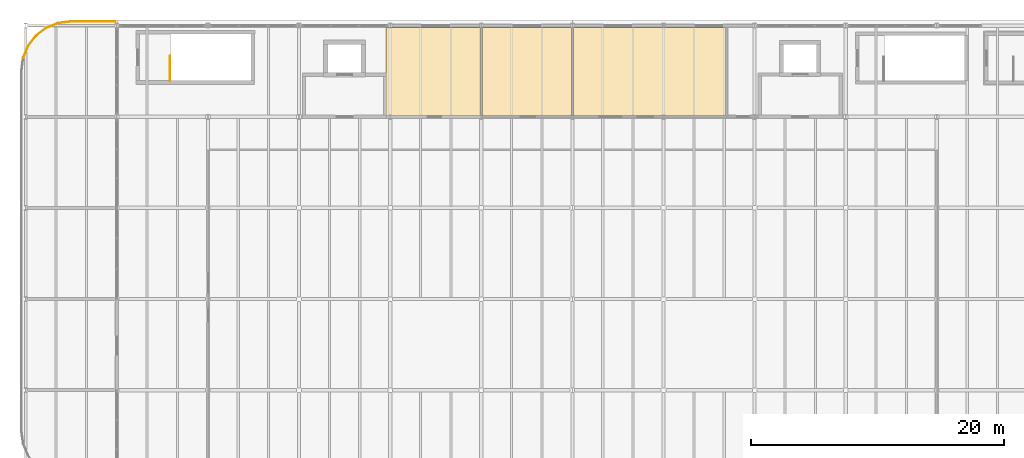
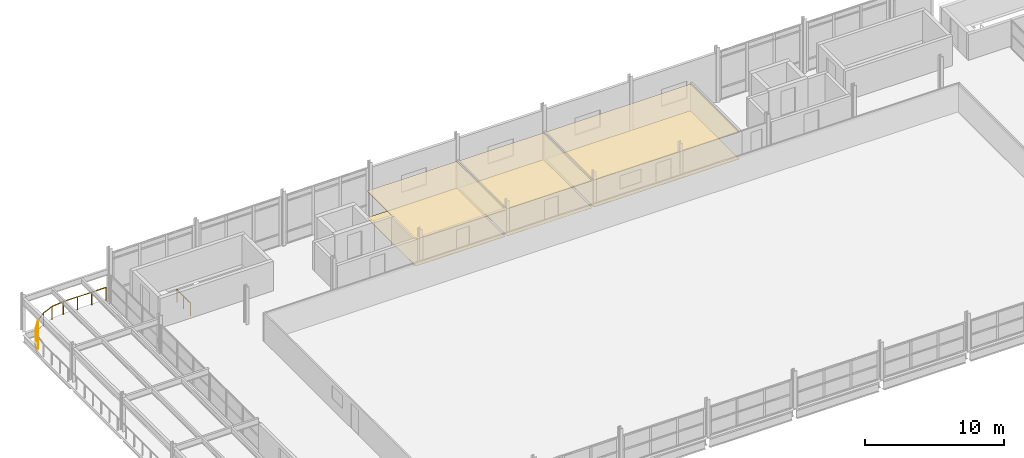
# One storey, part 24 of 25: 7 railings, 6 coverings.
"""IFC4 building model written with IfcOpenShell, lengths in metres."""

from ifc_helpers import new_model, si_unit, direction, frame, origin, origin_2d, place, context, subcontext, project, spatial, polyline, circle, outline, extrude, material, layer, layer_set, type_object, element, save


model = new_model("IFC4")

# Units and contexts
model_context = context("Model", 3, precision=1e-05, world=origin(), true_north=direction((0.0, 1.0)))
body_context = subcontext(model_context, "Body", "Model", "MODEL_VIEW")
ifc_project = project(units=[si_unit("LENGTHUNIT", "METRE"), si_unit("AREAUNIT", "SQUARE_METRE"), si_unit("VOLUMEUNIT", "CUBIC_METRE"), si_unit("PLANEANGLEUNIT", "RADIAN"), si_unit("MASSUNIT", "GRAM", prefix="KILO")], contexts=[model_context])

# Site, building, storey
site_placement = place(None, origin())
site = spatial("IfcSite", under=ifc_project, at=site_placement, CompositionType="ELEMENT")
building_placement = place(site_placement, origin())
building = spatial("IfcBuilding", under=site, at=building_placement, Name="Vaelcorin Mobility Hub", CompositionType="ELEMENT")
storey_placement = place(building_placement, frame((0.0, 0.0, 21.0)))
storey = spatial("IfcBuildingStorey", under=building, at=storey_placement, Name="L05", CompositionType="ELEMENT", Elevation=21.0)

# Coverings
ifc_material_1 = material(Name="Perforated acoustic mineral-fibre ceiling tile")
ifc_layer_1 = layer(ifc_material_1, 0.02001953125)
ifc_layer_set_1 = layer_set([ifc_layer_1], Name="Perforated acoustic mineral-fibre ceiling tile")
covering_type_1 = type_object("IfcCoveringType", Name="COV-CEIL-1", PredefinedType="CEILING", material=ifc_layer_set_1)
covering_1_placement = place(storey_placement, frame((0.0, 0.0, 2.35009765625)))
element("IfcCovering", 1, at=covering_1_placement, inside=storey, type_object=covering_type_1, Name="Rooftop Court Refreshment Kiosk Acoustic Ceiling", PredefinedType="CEILING", context=body_context, shape_type="SweptSolid", body=[
    extrude(outline(polyline([(72.139892578125, 112.8798828125), (72.134033203125, 112.8798828125), (72.1279296875, 112.881103515625), (72.123046875, 112.883056640625), (72.116943359375, 112.885009765625), (72.112060546875, 112.886962890625), (72.10693359375, 112.889892578125), (72.10205078125, 112.89404296875), (72.097900390625, 112.89794921875), (72.093994140625, 112.902099609375), (72.090087890625, 112.906982421875), (72.0869140625, 112.912109375), (72.0849609375, 112.9169921875), (72.0830078125, 112.923095703125), (72.0810546875, 112.927978515625), (72.080078125, 112.93408203125), (72.080078125, 112.93994140625), (72.080078125, 119.800048828125), (72.080078125, 119.805908203125), (72.0810546875, 119.81201171875), (72.0830078125, 119.81689453125), (72.0849609375, 119.822998046875), (72.0869140625, 119.827880859375), (72.090087890625, 119.8330078125), (72.093994140625, 119.837890625), (72.097900390625, 119.842041015625), (72.10205078125, 119.845947265625), (72.10693359375, 119.85009765625), (72.112060546875, 119.85302734375), (72.116943359375, 119.85498046875), (72.123046875, 119.85693359375), (72.1279296875, 119.85888671875), (72.134033203125, 119.860107421875), (72.139892578125, 119.860107421875), (79.06005859375, 119.860107421875), (79.06591796875, 119.860107421875), (79.072021484375, 119.85888671875), (79.076904296875, 119.85693359375), (79.0830078125, 119.85498046875), (79.087890625, 119.85302734375), (79.093017578125, 119.85009765625), (79.097900390625, 119.845947265625), (79.10205078125, 119.842041015625), (79.10595703125, 119.837890625), (79.110107421875, 119.8330078125), (79.113037109375, 119.827880859375), (79.114990234375, 119.822998046875), (79.116943359375, 119.81689453125), (79.118896484375, 119.81201171875), (79.1201171875, 119.805908203125), (79.1201171875, 119.800048828125), (79.1201171875, 112.93994140625), (79.1201171875, 112.93408203125), (79.118896484375, 112.927978515625), (79.116943359375, 112.923095703125), (79.114990234375, 112.9169921875), (79.113037109375, 112.912109375), (79.110107421875, 112.906982421875), (79.10595703125, 112.902099609375), (79.10205078125, 112.89794921875), (79.097900390625, 112.89404296875), (79.093017578125, 112.889892578125), (79.087890625, 112.886962890625), (79.0830078125, 112.885009765625), (79.076904296875, 112.883056640625), (79.072021484375, 112.881103515625), (79.06591796875, 112.8798828125), (79.06005859375, 112.8798828125), (72.139892578125, 112.8798828125)])), origin(), (0.0, 0.0, 1.0), 0.02001953125),
])
ifc_layer_2 = layer(ifc_material_1, 0.02392578125)
ifc_layer_set_2 = layer_set([ifc_layer_2], Name="Perforated acoustic mineral-fibre ceiling tile")
covering_type_2 = type_object("IfcCoveringType", Name="COV-CEIL-2", PredefinedType="CEILING", material=ifc_layer_set_2)
covering_2_placement = place(storey_placement, frame((0.0, 0.0, 2.35009765625)))
element("IfcCovering", 2, at=covering_2_placement, inside=storey, type_object=covering_type_2, Name="Sports Equipment Store Acoustic Ceiling", PredefinedType="CEILING", context=body_context, shape_type="SweptSolid", body=[
    extrude(outline(polyline([(79.340087890625, 112.8798828125), (79.333984375, 112.8798828125), (79.327880859375, 112.881103515625), (79.322998046875, 112.883056640625), (79.31689453125, 112.885009765625), (79.31201171875, 112.886962890625), (79.306884765625, 112.889892578125), (79.302001953125, 112.89404296875), (79.298095703125, 112.89794921875), (79.2939453125, 112.902099609375), (79.2900390625, 112.906982421875), (79.287109375, 112.912109375), (79.284912109375, 112.9169921875), (79.282958984375, 112.923095703125), (79.281005859375, 112.927978515625), (79.280029296875, 112.93408203125), (79.280029296875, 112.93994140625), (79.280029296875, 119.800048828125), (79.280029296875, 119.805908203125), (79.281005859375, 119.81201171875), (79.282958984375, 119.81689453125), (79.284912109375, 119.822998046875), (79.287109375, 119.827880859375), (79.2900390625, 119.8330078125), (79.2939453125, 119.837890625), (79.298095703125, 119.842041015625), (79.302001953125, 119.845947265625), (79.306884765625, 119.85009765625), (79.31201171875, 119.85302734375), (79.31689453125, 119.85498046875), (79.322998046875, 119.85693359375), (79.327880859375, 119.85888671875), (79.333984375, 119.860107421875), (79.340087890625, 119.860107421875), (91.260009765625, 119.860107421875), (91.26611328125, 119.860107421875), (91.27197265625, 119.85888671875), (91.277099609375, 119.85693359375), (91.282958984375, 119.85498046875), (91.2880859375, 119.85302734375), (91.29296875, 119.85009765625), (91.298095703125, 119.845947265625), (91.302001953125, 119.842041015625), (91.305908203125, 119.837890625), (91.31005859375, 119.8330078125), (91.31298828125, 119.827880859375), (91.31494140625, 119.822998046875), (91.31689453125, 119.81689453125), (91.319091796875, 119.81201171875), (91.320068359375, 119.805908203125), (91.320068359375, 119.800048828125), (91.320068359375, 112.93994140625), (91.320068359375, 112.93408203125), (91.319091796875, 112.927978515625), (91.31689453125, 112.923095703125), (91.31494140625, 112.9169921875), (91.31298828125, 112.912109375), (91.31005859375, 112.906982421875), (91.305908203125, 112.902099609375), (91.302001953125, 112.89794921875), (91.298095703125, 112.89404296875), (91.29296875, 112.889892578125), (91.2880859375, 112.886962890625), (91.282958984375, 112.885009765625), (91.277099609375, 112.883056640625), (91.27197265625, 112.881103515625), (91.26611328125, 112.8798828125), (91.260009765625, 112.8798828125), (79.340087890625, 112.8798828125)])), origin(), (0.0, 0.0, 1.0), 0.02392578125),
])
ifc_layer_3 = layer(ifc_material_1, 0.0380859375)
ifc_layer_set_3 = layer_set([ifc_layer_3], Name="Perforated acoustic mineral-fibre ceiling tile")
covering_type_3 = type_object("IfcCoveringType", Name="COV-CEIL-4", PredefinedType="CEILING", material=ifc_layer_set_3)
covering_3_placement = place(storey_placement, frame((0.0, 0.0, 2.35009765625)))
element("IfcCovering", 3, at=covering_3_placement, inside=storey, type_object=covering_type_3, Name="West Sports Changing and Showers Acoustic Ceiling", PredefinedType="CEILING", context=body_context, shape_type="SweptSolid", body=[
    extrude(outline(polyline([(64.5400390625, 112.8798828125), (64.533935546875, 112.8798828125), (64.528076171875, 112.881103515625), (64.52294921875, 112.883056640625), (64.51708984375, 112.885009765625), (64.511962890625, 112.886962890625), (64.507080078125, 112.889892578125), (64.501953125, 112.89404296875), (64.498046875, 112.89794921875), (64.493896484375, 112.902099609375), (64.489990234375, 112.906982421875), (64.487060546875, 112.912109375), (64.485107421875, 112.9169921875), (64.48291015625, 112.923095703125), (64.48095703125, 112.927978515625), (64.47998046875, 112.93408203125), (64.47998046875, 112.93994140625), (64.47998046875, 119.800048828125), (64.47998046875, 119.805908203125), (64.48095703125, 119.81201171875), (64.48291015625, 119.81689453125), (64.485107421875, 119.822998046875), (64.487060546875, 119.827880859375), (64.489990234375, 119.8330078125), (64.493896484375, 119.837890625), (64.498046875, 119.842041015625), (64.501953125, 119.845947265625), (64.507080078125, 119.85009765625), (64.511962890625, 119.85302734375), (64.51708984375, 119.85498046875), (64.52294921875, 119.85693359375), (64.528076171875, 119.85888671875), (64.533935546875, 119.860107421875), (64.5400390625, 119.860107421875), (71.860107421875, 119.860107421875), (71.865966796875, 119.860107421875), (71.8720703125, 119.85888671875), (71.876953125, 119.85693359375), (71.883056640625, 119.85498046875), (71.887939453125, 119.85302734375), (71.89306640625, 119.85009765625), (71.89794921875, 119.845947265625), (71.902099609375, 119.842041015625), (71.906005859375, 119.837890625), (71.909912109375, 119.8330078125), (71.9130859375, 119.827880859375), (71.9150390625, 119.822998046875), (71.9169921875, 119.81689453125), (71.9189453125, 119.81201171875), (71.919921875, 119.805908203125), (71.919921875, 119.800048828125), (71.919921875, 112.93994140625), (71.919921875, 112.93408203125), (71.9189453125, 112.927978515625), (71.9169921875, 112.923095703125), (71.9150390625, 112.9169921875), (71.9130859375, 112.912109375), (71.909912109375, 112.906982421875), (71.906005859375, 112.902099609375), (71.902099609375, 112.89794921875), (71.89794921875, 112.89404296875), (71.89306640625, 112.889892578125), (71.887939453125, 112.886962890625), (71.883056640625, 112.885009765625), (71.876953125, 112.883056640625), (71.8720703125, 112.881103515625), (71.865966796875, 112.8798828125), (71.860107421875, 112.8798828125), (64.5400390625, 112.8798828125)])), origin(), (0.0, 0.0, 1.0), 0.037841796875),
])
ifc_material_2 = material(Name="Polished epoxy-terrazzo concourse flooring")
ifc_layer_4 = layer(ifc_material_2, 0.01806640625)
ifc_layer_set_4 = layer_set([ifc_layer_4], Name="Polished epoxy-terrazzo concourse flooring")
covering_type_4 = type_object("IfcCoveringType", Name="COV-FLR-1", PredefinedType="FLOORING", material=ifc_layer_set_4)
covering_4_placement = place(storey_placement, origin())
element("IfcCovering", 4, at=covering_4_placement, inside=storey, type_object=covering_type_4, Name="Rooftop Court Refreshment Kiosk Finish Flooring", PredefinedType="FLOORING", context=body_context, shape_type="SweptSolid", body=[
    extrude(outline(polyline([(72.139892578125, 112.8798828125), (72.134033203125, 112.8798828125), (72.1279296875, 112.881103515625), (72.123046875, 112.883056640625), (72.116943359375, 112.885009765625), (72.112060546875, 112.886962890625), (72.10693359375, 112.889892578125), (72.10205078125, 112.89404296875), (72.097900390625, 112.89794921875), (72.093994140625, 112.902099609375), (72.090087890625, 112.906982421875), (72.0869140625, 112.912109375), (72.0849609375, 112.9169921875), (72.0830078125, 112.923095703125), (72.0810546875, 112.927978515625), (72.080078125, 112.93408203125), (72.080078125, 112.93994140625), (72.080078125, 119.800048828125), (72.080078125, 119.805908203125), (72.0810546875, 119.81201171875), (72.0830078125, 119.81689453125), (72.0849609375, 119.822998046875), (72.0869140625, 119.827880859375), (72.090087890625, 119.8330078125), (72.093994140625, 119.837890625), (72.097900390625, 119.842041015625), (72.10205078125, 119.845947265625), (72.10693359375, 119.85009765625), (72.112060546875, 119.85302734375), (72.116943359375, 119.85498046875), (72.123046875, 119.85693359375), (72.1279296875, 119.85888671875), (72.134033203125, 119.860107421875), (72.139892578125, 119.860107421875), (79.06005859375, 119.860107421875), (79.06591796875, 119.860107421875), (79.072021484375, 119.85888671875), (79.076904296875, 119.85693359375), (79.0830078125, 119.85498046875), (79.087890625, 119.85302734375), (79.093017578125, 119.85009765625), (79.097900390625, 119.845947265625), (79.10205078125, 119.842041015625), (79.10595703125, 119.837890625), (79.110107421875, 119.8330078125), (79.113037109375, 119.827880859375), (79.114990234375, 119.822998046875), (79.116943359375, 119.81689453125), (79.118896484375, 119.81201171875), (79.1201171875, 119.805908203125), (79.1201171875, 119.800048828125), (79.1201171875, 112.93994140625), (79.1201171875, 112.93408203125), (79.118896484375, 112.927978515625), (79.116943359375, 112.923095703125), (79.114990234375, 112.9169921875), (79.113037109375, 112.912109375), (79.110107421875, 112.906982421875), (79.10595703125, 112.902099609375), (79.10205078125, 112.89794921875), (79.097900390625, 112.89404296875), (79.093017578125, 112.889892578125), (79.087890625, 112.886962890625), (79.0830078125, 112.885009765625), (79.076904296875, 112.883056640625), (79.072021484375, 112.881103515625), (79.06591796875, 112.8798828125), (79.06005859375, 112.8798828125), (72.139892578125, 112.8798828125)])), origin(), (0.0, 0.0, 1.0), 0.01806640625),
])
ifc_material_3 = material(Name="Sprung maple sports court flooring")
ifc_layer_5 = layer(ifc_material_3, 0.033935546875)
ifc_layer_set_5 = layer_set([ifc_layer_5], Name="Sprung maple sports court flooring")
covering_type_5 = type_object("IfcCoveringType", Name="COV-FLR-3", PredefinedType="FLOORING", material=ifc_layer_set_5)
covering_5_placement = place(storey_placement, origin())
element("IfcCovering", 5, at=covering_5_placement, inside=storey, type_object=covering_type_5, Name="West Sports Changing and Showers Finish Flooring", PredefinedType="FLOORING", context=body_context, shape_type="SweptSolid", body=[
    extrude(outline(polyline([(64.5400390625, 112.8798828125), (64.533935546875, 112.8798828125), (64.528076171875, 112.881103515625), (64.52294921875, 112.883056640625), (64.51708984375, 112.885009765625), (64.511962890625, 112.886962890625), (64.507080078125, 112.889892578125), (64.501953125, 112.89404296875), (64.498046875, 112.89794921875), (64.493896484375, 112.902099609375), (64.489990234375, 112.906982421875), (64.487060546875, 112.912109375), (64.485107421875, 112.9169921875), (64.48291015625, 112.923095703125), (64.48095703125, 112.927978515625), (64.47998046875, 112.93408203125), (64.47998046875, 112.93994140625), (64.47998046875, 119.800048828125), (64.47998046875, 119.805908203125), (64.48095703125, 119.81201171875), (64.48291015625, 119.81689453125), (64.485107421875, 119.822998046875), (64.487060546875, 119.827880859375), (64.489990234375, 119.8330078125), (64.493896484375, 119.837890625), (64.498046875, 119.842041015625), (64.501953125, 119.845947265625), (64.507080078125, 119.85009765625), (64.511962890625, 119.85302734375), (64.51708984375, 119.85498046875), (64.52294921875, 119.85693359375), (64.528076171875, 119.85888671875), (64.533935546875, 119.860107421875), (64.5400390625, 119.860107421875), (71.860107421875, 119.860107421875), (71.865966796875, 119.860107421875), (71.8720703125, 119.85888671875), (71.876953125, 119.85693359375), (71.883056640625, 119.85498046875), (71.887939453125, 119.85302734375), (71.89306640625, 119.85009765625), (71.89794921875, 119.845947265625), (71.902099609375, 119.842041015625), (71.906005859375, 119.837890625), (71.909912109375, 119.8330078125), (71.9130859375, 119.827880859375), (71.9150390625, 119.822998046875), (71.9169921875, 119.81689453125), (71.9189453125, 119.81201171875), (71.919921875, 119.805908203125), (71.919921875, 119.800048828125), (71.919921875, 112.93994140625), (71.919921875, 112.93408203125), (71.9189453125, 112.927978515625), (71.9169921875, 112.923095703125), (71.9150390625, 112.9169921875), (71.9130859375, 112.912109375), (71.909912109375, 112.906982421875), (71.906005859375, 112.902099609375), (71.902099609375, 112.89794921875), (71.89794921875, 112.89404296875), (71.89306640625, 112.889892578125), (71.887939453125, 112.886962890625), (71.883056640625, 112.885009765625), (71.876953125, 112.883056640625), (71.8720703125, 112.881103515625), (71.865966796875, 112.8798828125), (71.860107421875, 112.8798828125), (64.5400390625, 112.8798828125)])), origin(), (0.0, 0.0, 1.0), 0.033935546875),
])
covering_6_placement = place(storey_placement, origin())
element("IfcCovering", 6, at=covering_6_placement, inside=storey, type_object=covering_type_5, Name="Sports Equipment Store Finish Flooring", PredefinedType="FLOORING", context=body_context, shape_type="SweptSolid", body=[
    extrude(outline(polyline([(79.340087890625, 112.8798828125), (79.333984375, 112.8798828125), (79.327880859375, 112.881103515625), (79.322998046875, 112.883056640625), (79.31689453125, 112.885009765625), (79.31201171875, 112.886962890625), (79.306884765625, 112.889892578125), (79.302001953125, 112.89404296875), (79.298095703125, 112.89794921875), (79.2939453125, 112.902099609375), (79.2900390625, 112.906982421875), (79.287109375, 112.912109375), (79.284912109375, 112.9169921875), (79.282958984375, 112.923095703125), (79.281005859375, 112.927978515625), (79.280029296875, 112.93408203125), (79.280029296875, 112.93994140625), (79.280029296875, 119.800048828125), (79.280029296875, 119.805908203125), (79.281005859375, 119.81201171875), (79.282958984375, 119.81689453125), (79.284912109375, 119.822998046875), (79.287109375, 119.827880859375), (79.2900390625, 119.8330078125), (79.2939453125, 119.837890625), (79.298095703125, 119.842041015625), (79.302001953125, 119.845947265625), (79.306884765625, 119.85009765625), (79.31201171875, 119.85302734375), (79.31689453125, 119.85498046875), (79.322998046875, 119.85693359375), (79.327880859375, 119.85888671875), (79.333984375, 119.860107421875), (79.340087890625, 119.860107421875), (91.260009765625, 119.860107421875), (91.26611328125, 119.860107421875), (91.27197265625, 119.85888671875), (91.277099609375, 119.85693359375), (91.282958984375, 119.85498046875), (91.2880859375, 119.85302734375), (91.29296875, 119.85009765625), (91.298095703125, 119.845947265625), (91.302001953125, 119.842041015625), (91.305908203125, 119.837890625), (91.31005859375, 119.8330078125), (91.31298828125, 119.827880859375), (91.31494140625, 119.822998046875), (91.31689453125, 119.81689453125), (91.319091796875, 119.81201171875), (91.320068359375, 119.805908203125), (91.320068359375, 119.800048828125), (91.320068359375, 112.93994140625), (91.320068359375, 112.93408203125), (91.319091796875, 112.927978515625), (91.31689453125, 112.923095703125), (91.31494140625, 112.9169921875), (91.31298828125, 112.912109375), (91.31005859375, 112.906982421875), (91.305908203125, 112.902099609375), (91.302001953125, 112.89794921875), (91.298095703125, 112.89404296875), (91.29296875, 112.889892578125), (91.2880859375, 112.886962890625), (91.282958984375, 112.885009765625), (91.277099609375, 112.883056640625), (91.27197265625, 112.881103515625), (91.26611328125, 112.8798828125), (91.260009765625, 112.8798828125), (79.340087890625, 112.8798828125)])), origin(), (0.0, 0.0, 1.0), 0.033935546875),
])

# Railings
ifc_material_4 = material(Name="Anodised aluminium 6063-T6", Category="aluminium")
ifc_layer_6 = layer(ifc_material_4, 0.070068359375)
ifc_layer_set_6 = layer_set([ifc_layer_6], Name="Anodised aluminium 6063-T6")
railing_type_1 = type_object("IfcRailingType", Name="RL-GUARD-1150", PredefinedType="BALUSTRADE", material=ifc_layer_set_6)
railing_1_placement = place(storey_placement, frame((35.802001953125, 117.4541015625, 0.0)))
element("IfcRailing", 7, at=railing_1_placement, inside=storey, type_object=railing_type_1, Name="L05 Perimeter Guard GR-L05-OUTW-10", PredefinedType="BALUSTRADE", context=body_context, shape_type="SweptSolid", body=[
    extrude(circle(Radius=0.02392578125, at=origin_2d()), frame((0.0, 0.0, 1.1259765625), z_axis=(0.382954832138, 0.923767068336, 0.0), x_axis=(-0.923767068336, 0.382954832138, 0.0)), (0.0, 0.0, 1.0), 1.012939453125),
    extrude(circle(Radius=0.02099609375, at=origin_2d()), origin(), (0.0, 0.0, 1.0), 1.101806640625),
    extrude(circle(Radius=0.02099609375, at=origin_2d()), frame((0.387939453125, 0.935791015625, 0.0)), (0.0, 0.0, 1.0), 1.101806640625),
])
railing_2_placement = place(storey_placement, frame((36.18994140625, 118.389892578125, 0.0)))
element("IfcRailing", 8, at=railing_2_placement, inside=storey, type_object=railing_type_1, Name="L05 Perimeter Guard GR-L05-OUTW-11", PredefinedType="BALUSTRADE", context=body_context, shape_type="SweptSolid", body=[
    extrude(circle(Radius=0.02392578125, at=origin_2d()), frame((0.0, 0.0, 1.1259765625), z_axis=(0.60806718235, 0.793885572201, 0.0), x_axis=(-0.793885572201, 0.60806718235, 0.0)), (0.0, 0.0, 1.0), 1.012939453125),
    extrude(circle(Radius=0.02099609375, at=origin_2d()), origin(), (0.0, 0.0, 1.0), 1.101806640625),
    extrude(circle(Radius=0.02099609375, at=origin_2d()), frame((0.615966796875, 0.80419921875, 0.0)), (0.0, 0.0, 1.0), 1.101806640625),
])
railing_3_placement = place(storey_placement, frame((36.805908203125, 119.194091796875, 0.0)))
element("IfcRailing", 9, at=railing_3_placement, inside=storey, type_object=railing_type_1, Name="L05 Perimeter Guard GR-L05-OUTW-12", PredefinedType="BALUSTRADE", context=body_context, shape_type="SweptSolid", body=[
    extrude(circle(Radius=0.02392578125, at=origin_2d()), frame((0.0, 0.0, 1.1259765625), z_axis=(0.793885572201, 0.60806718235, 0.0), x_axis=(-0.60806718235, 0.793885572201, 0.0)), (0.0, 0.0, 1.0), 1.012939453125),
    extrude(circle(Radius=0.02099609375, at=origin_2d()), origin(), (0.0, 0.0, 1.0), 1.101806640625),
    extrude(circle(Radius=0.02099609375, at=origin_2d()), frame((0.80419921875, 0.615966796875, 0.0)), (0.0, 0.0, 1.0), 1.101806640625),
])
railing_4_placement = place(storey_placement, frame((37.610107421875, 119.81005859375, 0.0)))
element("IfcRailing", 10, at=railing_4_placement, inside=storey, type_object=railing_type_1, Name="L05 Perimeter Guard GR-L05-OUTW-13", PredefinedType="BALUSTRADE", context=body_context, shape_type="SweptSolid", body=[
    extrude(circle(Radius=0.02392578125, at=origin_2d()), frame((0.0, 0.0, 1.1259765625), z_axis=(0.923767068336, 0.382954832138, 0.0), x_axis=(-0.382954832138, 0.923767068336, 0.0)), (0.0, 0.0, 1.0), 1.012939453125),
    extrude(circle(Radius=0.02099609375, at=origin_2d()), origin(), (0.0, 0.0, 1.0), 1.101806640625),
    extrude(circle(Radius=0.02099609375, at=origin_2d()), frame((0.935791015625, 0.387939453125, 0.0)), (0.0, 0.0, 1.0), 1.101806640625),
])
railing_5_placement = place(storey_placement, frame((38.5458984375, 120.197998046875, 0.0)))
element("IfcRailing", 11, at=railing_5_placement, inside=storey, type_object=railing_type_1, Name="L05 Perimeter Guard GR-L05-OUTW-14", PredefinedType="BALUSTRADE", context=body_context, shape_type="SweptSolid", body=[
    extrude(circle(Radius=0.02392578125, at=origin_2d()), frame((0.0, 0.0, 1.1259765625), z_axis=(0.991460037898, 0.130410863239, 0.0), x_axis=(-0.130410863239, 0.991460037898, 0.0)), (0.0, 0.0, 1.0), 1.0126953125),
    extrude(circle(Radius=0.02099609375, at=origin_2d()), origin(), (0.0, 0.0, 1.0), 1.101806640625),
    extrude(circle(Radius=0.02099609375, at=origin_2d()), frame((1.004150390625, 0.132080078125, 0.0)), (0.0, 0.0, 1.0), 1.101806640625),
])
railing_6_placement = place(storey_placement, frame((39.550048828125, 120.330078125, 0.0)))
element("IfcRailing", 12, at=railing_6_placement, inside=storey, type_object=railing_type_1, Name="L05 Perimeter Guard GR-L05-OUTW-15", PredefinedType="BALUSTRADE", context=body_context, shape_type="SweptSolid", body=[
    extrude(circle(Radius=0.02392578125, at=origin_2d()), frame((0.0, 0.0, 1.1259765625), z_axis=(1.0, 0.0, 0.0), x_axis=(0.0, 1.0, 0.0)), (0.0, 0.0, 1.0), 3.550048828125),
    extrude(circle(Radius=0.02099609375, at=origin_2d()), origin(), (0.0, 0.0, 1.0), 1.101806640625),
    extrude(circle(Radius=0.02099609375, at=origin_2d()), frame((1.183349609375, 0.0, 0.0)), (0.0, 0.0, 1.0), 1.101806640625),
    extrude(circle(Radius=0.02099609375, at=origin_2d()), frame((2.36669921875, 0.0, 0.0)), (0.0, 0.0, 1.0), 1.101806640625),
    extrude(circle(Radius=0.02099609375, at=origin_2d()), frame((3.550048828125, 0.0, 0.0)), (0.0, 0.0, 1.0), 1.101806640625),
])
ifc_material_5 = material(Name="Brushed stainless steel 316L", Category="steel")
ifc_layer_7 = layer(ifc_material_5, 0.048095703125)
ifc_layer_set_7 = layer_set([ifc_layer_7], Name="Brushed stainless steel 316L")
railing_type_2 = type_object("IfcRailingType", Name="RL-STAIR-GRD", PredefinedType="GUARDRAIL", material=ifc_layer_set_7)
railing_7_placement = place(storey_placement, frame((47.39990234375, 115.64990234375, 0.0)))
element("IfcRailing", 13, at=railing_7_placement, inside=storey, type_object=railing_type_2, Name="L05 ST3 top well guard 1", PredefinedType="GUARDRAIL", context=body_context, shape_type="SweptSolid", body=[
    extrude(circle(Radius=0.02392578125, at=origin_2d()), frame((0.0, 0.0, 1.076171875), z_axis=(0.0, 1.0, 0.0), x_axis=(-1.0, 0.0, 0.0)), (0.0, 0.0, 1.0), 1.940185546875),
    extrude(circle(Radius=0.02099609375, at=origin_2d()), origin(), (0.0, 0.0, 1.0), 1.052001953125),
    extrude(circle(Radius=0.02099609375, at=origin_2d()), frame((0.0, 0.97021484375, 0.0)), (0.0, 0.0, 1.0), 1.052001953125),
    extrude(circle(Radius=0.02099609375, at=origin_2d()), frame((0.0, 1.940185546875, 0.0)), (0.0, 0.0, 1.0), 1.052001953125),
])

save(model, "model.ifc")
